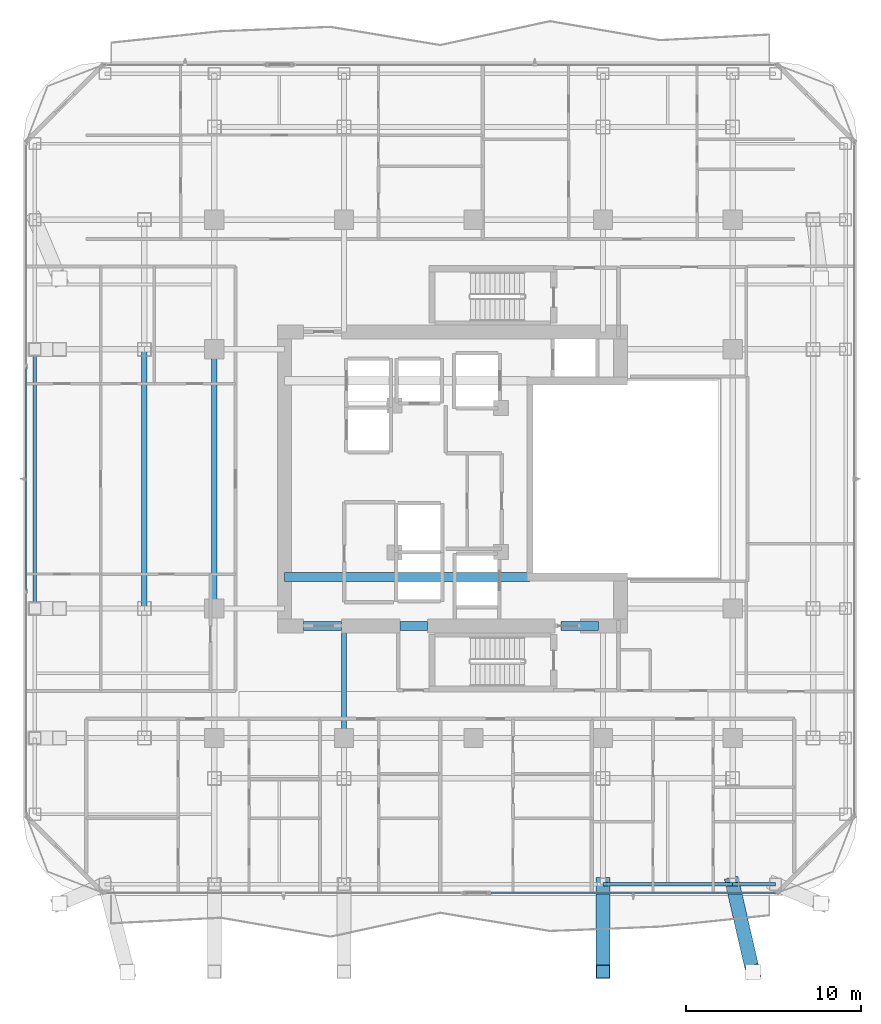
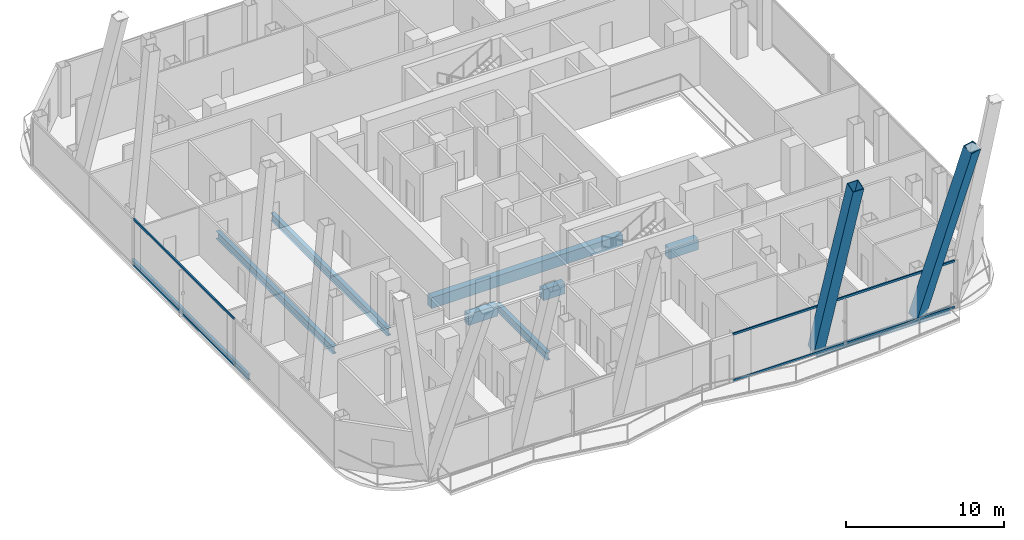
# One storey, part 9 of 34: 10 beams, 6 members, 2 elements without a shape of their own.
"""IFC4 building model written with IfcOpenShell, lengths in metres."""

from ifc_helpers import new_model, si_unit, direction, frame, origin, origin_2d, place, context, subcontext, project, spatial, rectangle, hollow_rectangle, i_section, extrude, material, layer, layer_set, material_profile, profile_set, type_object, element, aggregate, save


model = new_model("IFC4")

# Units and contexts
model_context = context("Model", 3, precision=1e-05, world=origin(), true_north=direction((0.0, 1.0)))
body_context = subcontext(model_context, "Body", "Model", "MODEL_VIEW")
ifc_project = project(units=[si_unit("LENGTHUNIT", "METRE"), si_unit("AREAUNIT", "SQUARE_METRE"), si_unit("VOLUMEUNIT", "CUBIC_METRE"), si_unit("PLANEANGLEUNIT", "RADIAN"), si_unit("MASSUNIT", "GRAM", prefix="KILO")], contexts=[model_context])

# Site, building, storey
site_placement = place(None, origin())
site = spatial("IfcSite", under=ifc_project, at=site_placement, CompositionType="ELEMENT")
building_placement = place(site_placement, origin())
building = spatial("IfcBuilding", under=site, at=building_placement, Name="Khorvyn Point Tower", CompositionType="ELEMENT")
storey_placement = place(building_placement, frame((0.0, 0.0, 175.800048828125)))
storey = spatial("IfcBuildingStorey", under=building, at=storey_placement, Name="L43", CompositionType="ELEMENT", Elevation=175.800048828125)

# Curtain wall, members
ifc_material_1 = material(Name="Anodised aluminium 6063-T6 and laminated Low-E glass", Category="aluminium")
ifc_layer = layer(ifc_material_1, 0.18994140625)
ifc_layer_set = layer_set([ifc_layer], Name="Stick-Built Acoustic Curtain Wall CW-SYS-03")
curtain_wall_type = type_object("IfcCurtainWallType", Name="Stick-Built Acoustic Curtain Wall CW-SYS-03", PredefinedType="NOTDEFINED", material=ifc_layer_set)
curtain_wall_1_placement = place(storey_placement, origin())
curtain_wall_1 = element("IfcCurtainWall", 1, at=curtain_wall_1_placement, inside=storey, type_object=curtain_wall_type, Name="Curtain Wall", PredefinedType="NOTDEFINED")
ifc_material_2 = material(Name="Anodised aluminium 6063-T6", Category="aluminium")
ifc_material_profile_1 = material_profile(ifc_material_2, hollow_rectangle(XDim=0.10009765625, YDim=0.159912109375, WallThickness=0.00439453125, at=origin_2d()))
ifc_profile_set_1 = profile_set([ifc_material_profile_1], Name="Anodised aluminium 6063-T6 ALU-TRN-100x160")
member_type_1 = type_object("IfcMemberType", Name="Anodised Aluminium 6063-T6 Transom ALU-TRN-100x160", PredefinedType="USERDEFINED", material=ifc_profile_set_1)
member_1_placement = place(storey_placement, frame((17.25, -23.64990234375, 0.050048828125), z_axis=(-1.0, 0.0, 0.0), x_axis=(0.0, -1.0, 0.0)))
member_1 = element("IfcMember", 2, at=member_1_placement, type_object=member_type_1, Name="Transom", ObjectType="TRANSOM", PredefinedType="USERDEFINED", context=body_context, shape_type="SweptSolid", body=[
    extrude(hollow_rectangle(XDim=0.10009765625, YDim=0.159912109375, WallThickness=0.00439453125, at=origin_2d()), origin(), (0.0, 0.0, 1.0), 16.2529296875),
])
member_2_placement = place(storey_placement, frame((17.25, -23.64990234375, 3.6298828125), z_axis=(-1.0, 0.0, 0.0), x_axis=(0.0, -1.0, 0.0)))
member_2 = element("IfcMember", 3, at=member_2_placement, type_object=member_type_1, Name="Transom", ObjectType="TRANSOM", PredefinedType="USERDEFINED", context=body_context, shape_type="SweptSolid", body=[
    extrude(hollow_rectangle(XDim=0.10009765625, YDim=0.159912109375, WallThickness=0.00439453125, at=origin_2d()), origin(), (0.0, 0.0, 1.0), 16.2529296875),
])
aggregate(curtain_wall_1, [member_1, member_2])

curtain_wall_2_placement = place(storey_placement, origin())
curtain_wall_2 = element("IfcCurtainWall", 4, at=curtain_wall_2_placement, inside=storey, type_object=curtain_wall_type, Name="Curtain Wall", PredefinedType="NOTDEFINED")
member_3_placement = place(storey_placement, frame((-25.550048828125, -6.36669921875, 0.050048828125), z_axis=(0.0, 1.0, 0.0), x_axis=(-1.0, 0.0, 0.0)))
member_3 = element("IfcMember", 5, at=member_3_placement, type_object=member_type_1, Name="Transom", ObjectType="TRANSOM", PredefinedType="USERDEFINED", context=body_context, shape_type="SweptSolid", body=[
    extrude(hollow_rectangle(XDim=0.10009765625, YDim=0.159912109375, WallThickness=0.00439453125, at=origin_2d()), origin(), (0.0, 0.0, 1.0), 12.7333984375),
])
member_4_placement = place(storey_placement, frame((-25.550048828125, -6.36669921875, 3.6298828125), z_axis=(0.0, 1.0, 0.0), x_axis=(-1.0, 0.0, 0.0)))
member_4 = element("IfcMember", 6, at=member_4_placement, type_object=member_type_1, Name="Transom", ObjectType="TRANSOM", PredefinedType="USERDEFINED", context=body_context, shape_type="SweptSolid", body=[
    extrude(hollow_rectangle(XDim=0.10009765625, YDim=0.159912109375, WallThickness=0.00439453125, at=origin_2d()), origin(), (0.0, 0.0, 1.0), 12.7333984375),
])
aggregate(curtain_wall_2, [member_3, member_4])

# Beams
ifc_material_3 = material(Name="Concrete C45/55", Category="concrete")
ifc_material_profile_2 = material_profile(ifc_material_3, rectangle(XDim=0.5, YDim=0.85009765625, at=origin_2d()))
ifc_profile_set_2 = profile_set([ifc_material_profile_2], Name="Concrete C45/55 RC500x850")
beam_type_1 = type_object("IfcBeamType", Name="Concrete C45/55 Beam RC500x850", PredefinedType="BEAM", material=ifc_profile_set_2)
beam_1_placement = place(storey_placement, frame((-10.800048828125, -5.60009765625, -0.64501953125), z_axis=(1.0, 0.0, 0.0), x_axis=(0.0, 1.0, 0.0)))
element("IfcBeam", 7, at=beam_1_placement, inside=storey, type_object=beam_type_1, Name="L43 Core Internal Tie Girder S", PredefinedType="BEAM", context=body_context, shape_type="SweptSolid", body=[
    extrude(rectangle(XDim=0.5, YDim=0.85009765625, at=origin_2d()), origin(), (0.0, 0.0, 1.0), 14.02001953125),
])
beam_2_placement = place(storey_placement, frame((-9.699951171875, -8.39990234375, -0.64501953125), z_axis=(1.0, 0.0, 0.0), x_axis=(0.0, 1.0, 0.0)))
element("IfcBeam", 8, at=beam_2_placement, inside=storey, type_object=beam_type_1, Name="L43 Core Southwest Portal Coupling Beam", PredefinedType="BEAM", context=body_context, shape_type="SweptSolid", body=[
    extrude(rectangle(XDim=0.5, YDim=0.85009765625, at=origin_2d()), origin(), (0.0, 0.0, 1.0), 2.14990234375),
])
beam_3_placement = place(storey_placement, frame((-4.199951171875, -8.39990234375, -0.64501953125), z_axis=(1.0, 0.0, 0.0), x_axis=(0.0, 1.0, 0.0)))
element("IfcBeam", 9, at=beam_3_placement, inside=storey, type_object=beam_type_1, Name="L43 Core Shuttle Portal Coupling Beam", PredefinedType="BEAM", context=body_context, shape_type="SweptSolid", body=[
    extrude(rectangle(XDim=0.5, YDim=0.85009765625, at=origin_2d()), origin(), (0.0, 0.0, 1.0), 1.579833984375),
])
beam_4_placement = place(storey_placement, frame((5.0, -8.39990234375, -0.64501953125), z_axis=(1.0, 0.0, 0.0), x_axis=(0.0, 1.0, 0.0)))
element("IfcBeam", 10, at=beam_4_placement, inside=storey, type_object=beam_type_1, Name="L43 Core Southeast Portal Coupling Beam", PredefinedType="BEAM", context=body_context, shape_type="SweptSolid", body=[
    extrude(rectangle(XDim=0.5, YDim=0.85009765625, at=origin_2d()), origin(), (0.0, 0.0, 1.0), 2.14990234375),
])
ifc_material_4 = material(Name="Steel S355", Category="steel")
ifc_material_profile_3 = material_profile(ifc_material_4, i_section(OverallWidth=0.300048828125, OverallDepth=0.587890625, WebThickness=0.011962890625, FlangeThickness=0.02001953125, at=origin_2d()))
ifc_profile_set_3 = profile_set([ifc_material_profile_3], Name="Steel S355 H588x300x12x20")
beam_type_2 = type_object("IfcBeamType", Name="Steel S355 Beam H588x300x12x20", PredefinedType="BEAM", material=ifc_profile_set_3)
beam_5_placement = place(storey_placement, frame((-14.800048828125, -7.39990234375, -0.51416015625), z_axis=(0.0, 1.0, 0.0), x_axis=(-1.0, 0.0, 0.0)))
element("IfcBeam", 11, at=beam_5_placement, inside=storey, type_object=beam_type_2, Name="Beam", PredefinedType="BEAM", context=body_context, shape_type="SweptSolid", body=[
    extrude(i_section(OverallWidth=0.300048828125, OverallDepth=0.587890625, WebThickness=0.011962890625, FlangeThickness=0.02001953125, at=origin_2d()), origin(), (0.0, 0.0, 1.0), 14.7998046875),
])
beam_6_placement = place(storey_placement, frame((-7.39990234375, -14.800048828125, -0.51416015625), z_axis=(0.0, 1.0, 0.0), x_axis=(-1.0, 0.0, 0.0)))
element("IfcBeam", 12, at=beam_6_placement, inside=storey, type_object=beam_type_2, Name="Beam", PredefinedType="BEAM", context=body_context, shape_type="SweptSolid", body=[
    extrude(i_section(OverallWidth=0.300048828125, OverallDepth=0.587890625, WebThickness=0.011962890625, FlangeThickness=0.02001953125, at=origin_2d()), origin(), (0.0, 0.0, 1.0), 6.400146484375),
])
beam_7_placement = place(storey_placement, frame((-18.800048828125, -7.39990234375, -0.51416015625), z_axis=(0.0, 1.0, 0.0), x_axis=(-1.0, 0.0, 0.0)))
element("IfcBeam", 13, at=beam_7_placement, inside=storey, type_object=beam_type_2, Name="Beam", PredefinedType="BEAM", context=body_context, shape_type="SweptSolid", body=[
    extrude(i_section(OverallWidth=0.300048828125, OverallDepth=0.587890625, WebThickness=0.011962890625, FlangeThickness=0.02001953125, at=origin_2d()), origin(), (0.0, 0.0, 1.0), 14.7998046875),
])
ifc_material_profile_4 = material_profile(ifc_material_4, i_section(OverallWidth=0.199951171875, OverallDepth=0.449951171875, WebThickness=0.009033203125, FlangeThickness=0.013916015625, at=origin_2d()))
ifc_profile_set_4 = profile_set([ifc_material_profile_4], Name="Steel S355 H450x200x9x14")
beam_type_3 = type_object("IfcBeamType", Name="Steel S355 Spandrel H450x200x9x14", PredefinedType="SPANDREL", material=ifc_profile_set_4)
beam_8_placement = place(storey_placement, frame((7.39990234375, -23.14990234375, -0.445068359375), z_axis=(1.0, 0.0, 0.0), x_axis=(0.0, 1.0, 0.0)))
element("IfcBeam", 14, at=beam_8_placement, inside=storey, type_object=beam_type_3, Name="Beam", PredefinedType="SPANDREL", context=body_context, shape_type="SweptSolid", body=[
    extrude(i_section(OverallWidth=0.199951171875, OverallDepth=0.449951171875, WebThickness=0.009033203125, FlangeThickness=0.013916015625, at=origin_2d()), origin(), (0.0, 0.0, 1.0), 7.400146484375),
])
beam_9_placement = place(storey_placement, frame((14.800048828125, -23.14990234375, -0.445068359375), z_axis=(1.0, 0.0, 0.0), x_axis=(0.0, 1.0, 0.0)))
element("IfcBeam", 15, at=beam_9_placement, inside=storey, type_object=beam_type_3, Name="Beam", PredefinedType="SPANDREL", context=body_context, shape_type="SweptSolid", body=[
    extrude(i_section(OverallWidth=0.199951171875, OverallDepth=0.449951171875, WebThickness=0.009033203125, FlangeThickness=0.013916015625, at=origin_2d()), origin(), (0.0, 0.0, 1.0), 2.449951171875),
])
beam_10_placement = place(storey_placement, frame((-25.050048828125, -7.39990234375, -0.445068359375), z_axis=(0.0, 1.0, 0.0), x_axis=(-1.0, 0.0, 0.0)))
element("IfcBeam", 16, at=beam_10_placement, inside=storey, type_object=beam_type_3, Name="Beam", PredefinedType="SPANDREL", context=body_context, shape_type="SweptSolid", body=[
    extrude(i_section(OverallWidth=0.199951171875, OverallDepth=0.449951171875, WebThickness=0.009033203125, FlangeThickness=0.013916015625, at=origin_2d()), origin(), (0.0, 0.0, 1.0), 14.7998046875),
])

# Members
ifc_material_5 = material(Name="Steel S450", Category="steel")
ifc_material_profile_5 = material_profile(ifc_material_5, hollow_rectangle(XDim=0.800048828125, YDim=0.800048828125, WallThickness=0.035888671875, at=origin_2d()))
ifc_profile_set_5 = profile_set([ifc_material_profile_5], Name="Steel S450 BOX800x800x36")
member_type_2 = type_object("IfcMemberType", Name="Steel S450 Exoskeleton Structural Post BOX800x800x36", PredefinedType="POST", material=ifc_profile_set_5)
member_5_placement = place(storey_placement, frame((14.800048828125, -23.14990234375, 0.0), z_axis=(0.070022633022, -0.304472085835, 0.949943987724), x_axis=(0.974559344395, 0.224129614849, 0.0)))
element("IfcMember", 17, at=member_5_placement, inside=storey, type_object=member_type_2, Name="L43 to L47 Exoskeleton Transfer Post 02", PredefinedType="POST", context=body_context, shape_type="SweptSolid", body=[
    extrude(hollow_rectangle(XDim=0.800048828125, YDim=0.800048828125, WallThickness=0.035888671875, at=origin_2d()), origin(), (0.0, 0.0, 1.0), 16.421875),
])
member_6_placement = place(storey_placement, frame((7.39990234375, -23.14990234375, 0.0), z_axis=(0.0, -0.305221281103, 0.952281455013), x_axis=(1.0, 0.0, 0.0)))
element("IfcMember", 18, at=member_6_placement, inside=storey, type_object=member_type_2, Name="L43 to L47 Exoskeleton Transfer Post 09", PredefinedType="POST", context=body_context, shape_type="SweptSolid", body=[
    extrude(hollow_rectangle(XDim=0.800048828125, YDim=0.800048828125, WallThickness=0.035888671875, at=origin_2d()), origin(), (0.0, 0.0, 1.0), 16.381591796875),
])

save(model, "model.ifc")
